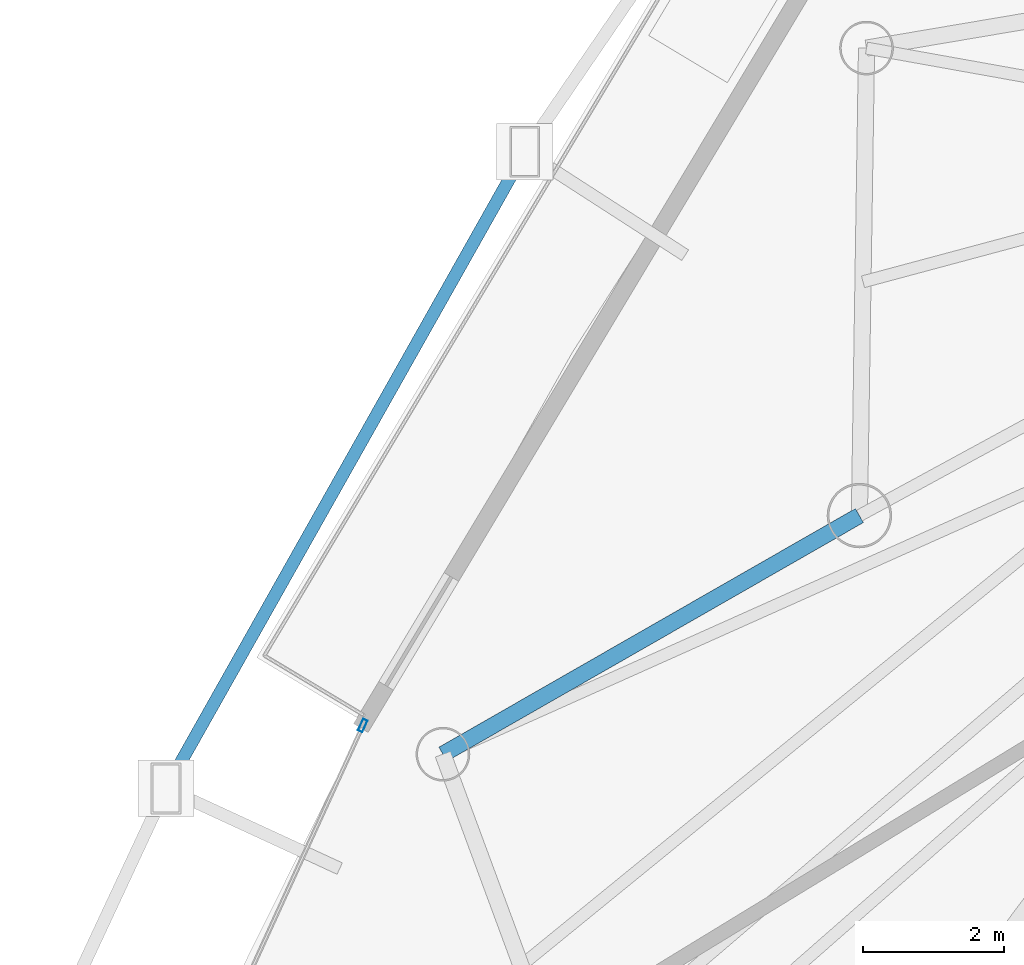
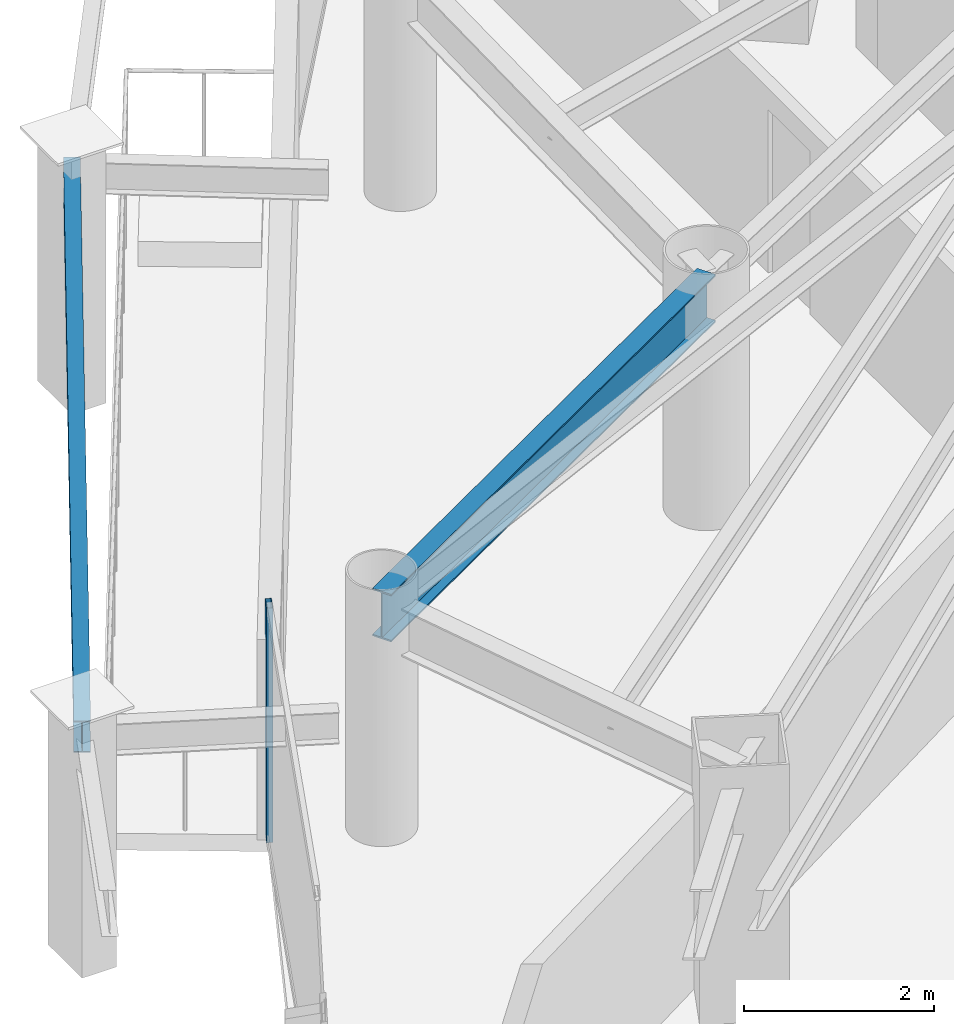
# One storey, part 10 of 33: 2 beams, 1 member, 1 element without a shape of its own.
"""IFC4 building model written with IfcOpenShell, lengths in metres."""

from ifc_helpers import new_model, si_unit, direction, frame, origin, origin_2d, place, context, subcontext, project, spatial, hollow_rectangle, i_section, extrude, material, layer, layer_set, material_profile, profile_set, type_object, element, aggregate, save


model = new_model("IFC4")

# Units and contexts
model_context = context("Model", 3, precision=1e-05, world=origin(), true_north=direction((0.0, 1.0)))
body_context = subcontext(model_context, "Body", "Model", "MODEL_VIEW")
ifc_project = project(units=[si_unit("LENGTHUNIT", "METRE"), si_unit("AREAUNIT", "SQUARE_METRE"), si_unit("VOLUMEUNIT", "CUBIC_METRE"), si_unit("PLANEANGLEUNIT", "RADIAN"), si_unit("MASSUNIT", "GRAM", prefix="KILO")], contexts=[model_context])

# Site, building, storey
site_placement = place(None, origin())
site = spatial("IfcSite", under=ifc_project, at=site_placement, CompositionType="ELEMENT")
building_placement = place(site_placement, origin())
building = spatial("IfcBuilding", under=site, at=building_placement, Name="Orvanel Arch Residences", CompositionType="ELEMENT")
storey_placement = place(building_placement, frame((0.0, 0.0, 93.949951171875)))
storey = spatial("IfcBuildingStorey", under=building, at=storey_placement, Name="L26", CompositionType="ELEMENT", Elevation=93.949951171875)

# Curtain wall, member
ifc_material_1 = material(Name="Bronze-anodised aluminium AA6063-T6", Category="aluminium")
ifc_layer = layer(ifc_material_1, 0.179931640625)
ifc_layer_set = layer_set([ifc_layer], Name="Bronze-anodised aluminium AA6063-T6")
curtain_wall_type = type_object("IfcCurtainWallType", Name="CW2-LOW-SYS", PredefinedType="NOTDEFINED", material=ifc_layer_set)
curtain_wall_placement = place(storey_placement, origin())
curtain_wall = element("IfcCurtainWall", 1, at=curtain_wall_placement, inside=storey, type_object=curtain_wall_type, Name="L26 CW2-LOW-SYS Unitised Curtain Wall", PredefinedType="NOTDEFINED")
ifc_material_profile_1 = material_profile(ifc_material_1, hollow_rectangle(XDim=0.070068359375, YDim=0.179931640625, WallThickness=0.00439453125, at=origin_2d()), Name="ALU180x70x4.5")
ifc_profile_set_1 = profile_set([ifc_material_profile_1], Name="Bronze-anodised aluminium AA6063-T6")
member_type = type_object("IfcMemberType", Name="MUL-180x70", PredefinedType="MULLION", material=ifc_profile_set_1)
member_placement = place(storey_placement, frame((13.5244140625, 24.662109375, 0.0), z_axis=(0.0, 0.0, 1.0), x_axis=(0.909823071027, -0.414996360739, 0.0)))
member = element("IfcMember", 2, at=member_placement, type_object=member_type, Name="CW-S2 mullion 1", PredefinedType="MULLION", context=body_context, shape_type="SweptSolid", body=[
    extrude(hollow_rectangle(XDim=0.070068359375, YDim=0.179931640625, WallThickness=0.00439453125, at=origin_2d()), origin(), (0.0, 0.0, 1.0), 3.02001953125),
])
aggregate(curtain_wall, [member])

# Beams
ifc_material_2 = material(Name="Structural steel AS/NZS 3679.1 Grade 300 (300 MPa)", Category="steel")
ifc_material_profile_2 = material_profile(ifc_material_2, i_section(OverallWidth=0.177978515625, OverallDepth=0.406005859375, WebThickness=0.0078125, FlangeThickness=0.0126953125, at=origin_2d()), Name="410UB59.7")
ifc_profile_set_2 = profile_set([ifc_material_profile_2], Name="Structural steel AS/NZS 3679.1 Grade 300 (300 MPa)")
beam_type_1 = type_object("IfcBeamType", Name="OB-410UB-EXT", PredefinedType="SPANDREL", material=ifc_profile_set_2)
beam_1_placement = place(storey_placement, frame((15.822998046875, 32.802001953125, 2.817138671875), z_axis=(-0.490843733941, -0.871247627745, 0.0), x_axis=(0.871247627745, -0.490843733941, 0.0)))
element("IfcBeam", 3, at=beam_1_placement, inside=storey, type_object=beam_type_1, Name="L26 Outer Perimeter Floor Ring Beam 02", PredefinedType="SPANDREL", context=body_context, shape_type="SweptSolid", body=[
    extrude(i_section(OverallWidth=0.177978515625, OverallDepth=0.406005859375, WebThickness=0.0078125, FlangeThickness=0.0126953125, at=origin_2d()), origin(), (0.0, 0.0, 1.0), 10.36572265625),
])
ifc_material_profile_3 = material_profile(ifc_material_2, i_section(OverallWidth=0.22900390625, OverallDepth=0.612060546875, WebThickness=0.011962890625, FlangeThickness=0.01953125, at=origin_2d()), Name="610UB125")
ifc_profile_set_3 = profile_set([ifc_material_profile_3], Name="Structural steel AS/NZS 3679.1 Grade 300 (300 MPa)")
beam_type_2 = type_object("IfcBeamType", Name="SP-610UB", PredefinedType="SPANDREL", material=ifc_profile_set_3)
beam_2_placement = place(storey_placement, frame((20.569091796875, 27.64111328125, 2.714111328125), z_axis=(-0.867635629025, -0.497200578485, 0.0), x_axis=(0.497200578485, -0.867635629025, 0.0)))
element("IfcBeam", 4, at=beam_2_placement, inside=storey, type_object=beam_type_2, Name="L26 Perimeter Spandrel Beam 21", PredefinedType="SPANDREL", context=body_context, shape_type="SweptSolid", body=[
    extrude(i_section(OverallWidth=0.22900390625, OverallDepth=0.612060546875, WebThickness=0.011962890625, FlangeThickness=0.01953125, at=origin_2d()), origin(), (0.0, 0.0, 1.0), 6.80810546875),
])

save(model, "model.ifc")
